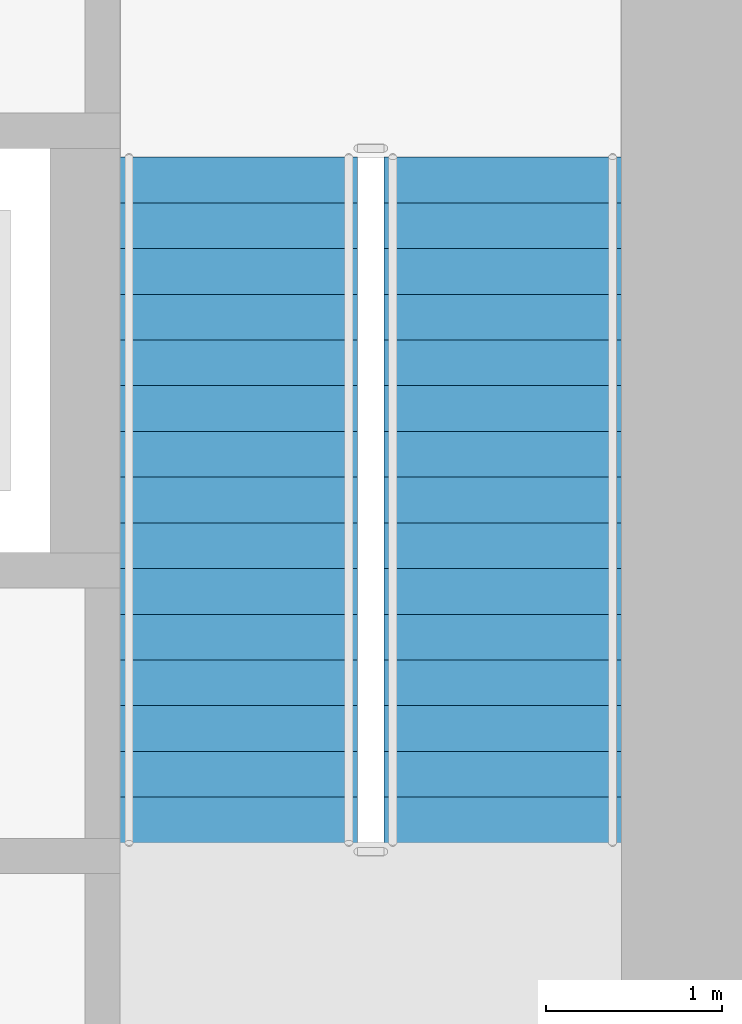
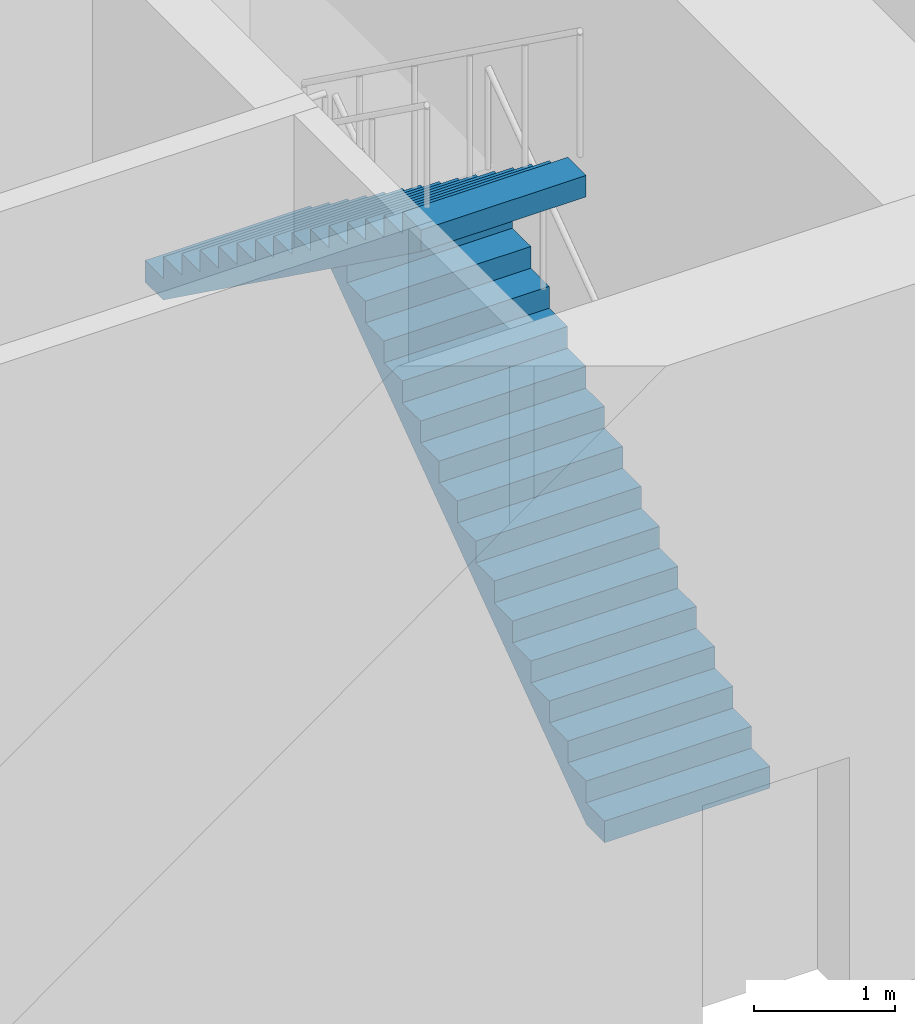
# One storey, part 11 of 14: 2 stair flights, 1 element without a shape of its own.
"""IFC4 building model written with IfcOpenShell, lengths in metres."""

from ifc_helpers import new_model, si_unit, direction, frame, origin, place, context, subcontext, project, spatial, polyline, outline, extrude, material, layer, layer_set, type_object, element, aggregate, save


model = new_model("IFC4")

# Units and contexts
model_context = context("Model", 3, precision=1e-05, world=origin(), true_north=direction((0.0, 1.0)))
body_context = subcontext(model_context, "Body", "Model", "MODEL_VIEW")
ifc_project = project(units=[si_unit("LENGTHUNIT", "METRE"), si_unit("AREAUNIT", "SQUARE_METRE"), si_unit("VOLUMEUNIT", "CUBIC_METRE"), si_unit("PLANEANGLEUNIT", "RADIAN"), si_unit("MASSUNIT", "GRAM", prefix="KILO")], contexts=[model_context])

# Site, building, storey
site_placement = place(None, origin())
site = spatial("IfcSite", under=ifc_project, at=site_placement, CompositionType="ELEMENT")
building_placement = place(site_placement, origin())
building = spatial("IfcBuilding", under=site, at=building_placement, Name="White Candle Pilgrim Tower", CompositionType="ELEMENT")
storey_placement = place(building_placement, frame((0.0, 0.0, 142.60009765625)))
storey = spatial("IfcBuildingStorey", under=building, at=storey_placement, Name="L32", CompositionType="ELEMENT", Elevation=142.60009765625)

# Stair, stair flights
ifc_material = material(Name="Concrete C40/50", Category="concrete")
stair_type = type_object("IfcStairType", Name="Exit stair 2 flight width 1350 mm", PredefinedType="HALF_TURN_STAIR", material=ifc_material)
stair_placement = place(storey_placement, origin())
stair = element("IfcStair", 1, at=stair_placement, inside=storey, type_object=stair_type, Name="L32 stair 2", PredefinedType="NOTDEFINED")
ifc_layer = layer(ifc_material, 0.14990234375)
ifc_layer_set = layer_set([ifc_layer], Name="Stair flight Concrete C40/50")
stair_flight_type = type_object("IfcStairFlightType", Name="Stair flight Concrete C40/50", PredefinedType="STRAIGHT", material=ifc_layer_set)
stair_flight_1_placement = place(storey_placement, frame((79.125, 73.550048828125, 0.0), z_axis=(0.0, 0.0, 1.0), x_axis=(0.0, 1.0, 0.0)))
stair_flight_1 = element("IfcStairFlight", 2, at=stair_flight_1_placement, type_object=stair_flight_type, Name="ST2 flight 1", NumberOfRisers=16, NumberOfTreads=15, PredefinedType="NOTDEFINED", RiserHeight=0.1875, TreadLength=0.26, context=body_context, shape_type="SweptSolid", body=[
    extrude(outline(polyline([(0.0, 0.0), (0.0, 0.1875), (0.260009765625, 0.1875), (0.260009765625, 0.375), (0.52001953125, 0.375), (0.52001953125, 0.5625), (0.780029296875, 0.5625), (0.780029296875, 0.75), (1.0400390625, 0.75), (1.0400390625, 0.9375), (1.300048828125, 0.9375), (1.300048828125, 1.125), (1.56005859375, 1.125), (1.56005859375, 1.3125), (1.820068359375, 1.3125), (1.820068359375, 1.5), (2.080078125, 1.5), (2.080078125, 1.6875), (2.340087890625, 1.6875), (2.340087890625, 1.875), (2.60009765625, 1.875), (2.60009765625, 2.0625), (2.860107421875, 2.0625), (2.860107421875, 2.25), (3.1201171875, 2.25), (3.1201171875, 2.4375), (3.3798828125, 2.4375), (3.3798828125, 2.625), (3.639892578125, 2.625), (3.639892578125, 2.8125), (3.89990234375, 2.8125), (3.89990234375, 3.0), (3.89990234375, 2.627685546875), (0.25634765625, 0.0), (0.0, 0.0)])), frame((0.0, 0.675048828125, 0.0), z_axis=(0.0, -1.0, 0.0), x_axis=(1.0, 0.0, 0.0)), (0.0, 0.0, 1.0), 1.35009765625),
])
stair_flight_2_placement = place(storey_placement, frame((77.625, 77.449951171875, 3.0), z_axis=(0.0, 0.0, 1.0), x_axis=(0.0, -1.0, 0.0)))
stair_flight_2 = element("IfcStairFlight", 3, at=stair_flight_2_placement, type_object=stair_flight_type, Name="ST2 flight 2", NumberOfRisers=16, NumberOfTreads=15, PredefinedType="NOTDEFINED", RiserHeight=0.1875, TreadLength=0.26, context=body_context, shape_type="SweptSolid", body=[
    extrude(outline(polyline([(0.0, 0.0), (0.0, 0.1875), (0.260009765625, 0.1875), (0.260009765625, 0.375), (0.52001953125, 0.375), (0.52001953125, 0.5625), (0.780029296875, 0.5625), (0.780029296875, 0.75), (1.0400390625, 0.75), (1.0400390625, 0.9375), (1.300048828125, 0.9375), (1.300048828125, 1.125), (1.56005859375, 1.125), (1.56005859375, 1.3125), (1.820068359375, 1.3125), (1.820068359375, 1.5), (2.080078125, 1.5), (2.080078125, 1.6875), (2.340087890625, 1.6875), (2.340087890625, 1.875), (2.60009765625, 1.875), (2.60009765625, 2.0625), (2.860107421875, 2.0625), (2.860107421875, 2.25), (3.1201171875, 2.25), (3.1201171875, 2.4375), (3.3798828125, 2.4375), (3.3798828125, 2.625), (3.639892578125, 2.625), (3.639892578125, 2.8125), (3.89990234375, 2.8125), (3.89990234375, 3.0), (3.89990234375, 2.627685546875), (0.25634765625, 0.0), (0.0, 0.0)])), frame((0.0, 0.675048828125, 0.0), z_axis=(0.0, -1.0, 0.0), x_axis=(1.0, 0.0, 0.0)), (0.0, 0.0, 1.0), 1.35009765625),
])
aggregate(stair, [stair_flight_1, stair_flight_2])

save(model, "model.ifc")
